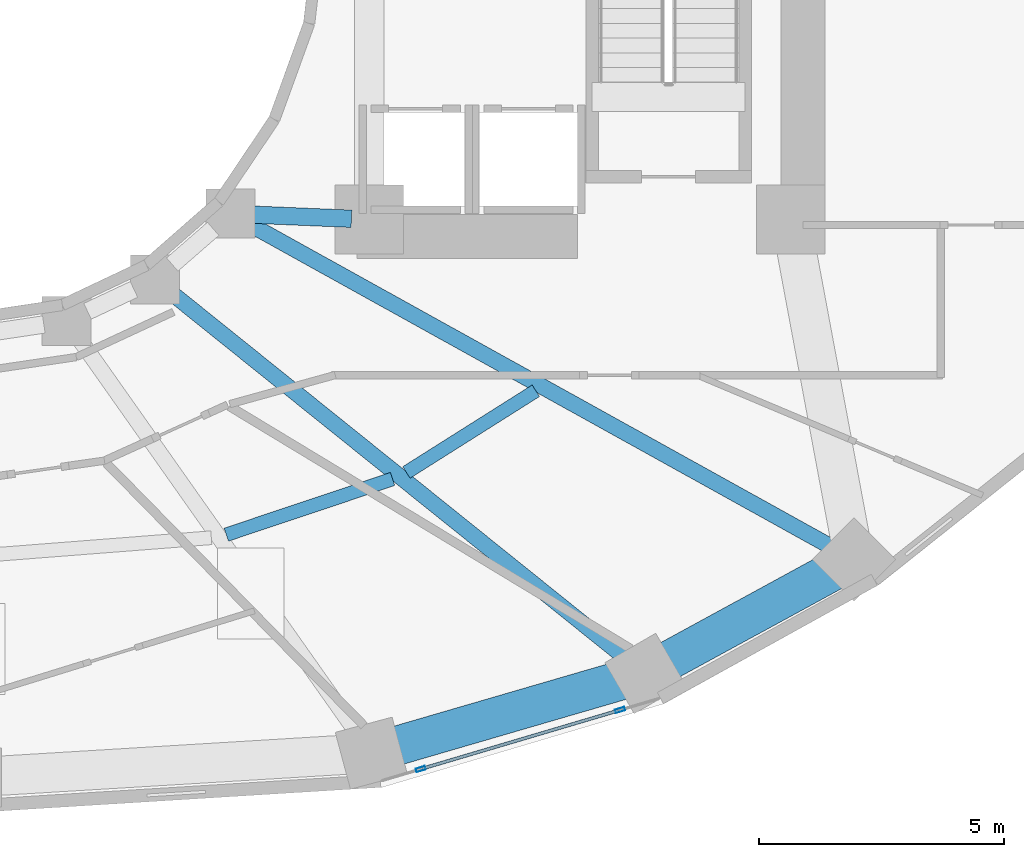
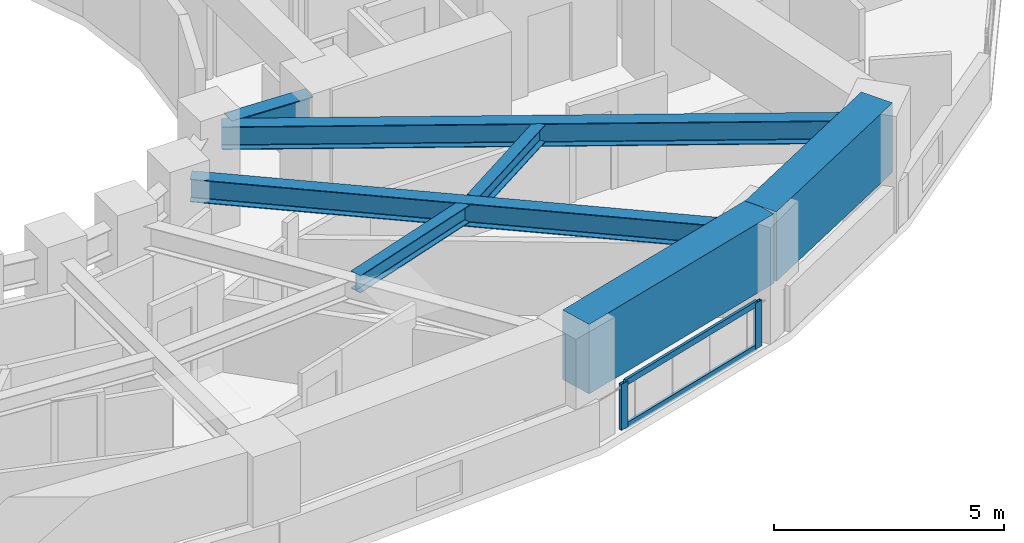
# One storey, part 6 of 22: 7 beams, 4 members, 1 element without a shape of its own.
"""IFC4 building model written with IfcOpenShell, lengths in metres."""

from ifc_helpers import new_model, si_unit, direction, frame, origin, origin_2d, place, context, subcontext, project, spatial, rectangle, hollow_rectangle, i_section, extrude, material, layer, layer_set, material_profile, profile_set, type_object, element, aggregate, save


model = new_model("IFC4")

# Units and contexts
model_context = context("Model", 3, precision=1e-05, world=origin(), true_north=direction((0.0, 1.0)))
body_context = subcontext(model_context, "Body", "Model", "MODEL_VIEW")
ifc_project = project(units=[si_unit("LENGTHUNIT", "METRE"), si_unit("AREAUNIT", "SQUARE_METRE"), si_unit("VOLUMEUNIT", "CUBIC_METRE"), si_unit("PLANEANGLEUNIT", "RADIAN"), si_unit("MASSUNIT", "GRAM", prefix="KILO")], contexts=[model_context])

# Site, building, storey
site_placement = place(None, origin())
site = spatial("IfcSite", under=ifc_project, at=site_placement, CompositionType="ELEMENT")
building_placement = place(site_placement, origin())
building = spatial("IfcBuilding", under=site, at=building_placement, Name="Solvane Sanctuary Tower", CompositionType="ELEMENT")
storey_placement = place(building_placement, frame((0.0, 0.0, 43.10009765625)))
storey = spatial("IfcBuildingStorey", under=building, at=storey_placement, Name="L12", CompositionType="ELEMENT", Elevation=43.10009765625)

# Beams
ifc_material_1 = material(Name="Steel ASTM A992 Grade 50", Category="steel")
ifc_material_profile_1 = material_profile(ifc_material_1, i_section(OverallWidth=0.323974609375, OverallDepth=0.611083984375, WebThickness=0.0126953125, FlangeThickness=0.01904296875, FilletRadius=0.01611328125, at=origin_2d()), Name="W24X104")
ifc_profile_set_1 = profile_set([ifc_material_profile_1], Name="Steel ASTM A992 Grade 50")
beam_type_1 = type_object("IfcBeamType", Name="Beam B-RAD-Z1 W24X104", PredefinedType="BEAM", material=ifc_profile_set_1)
beam_1_placement = place(storey_placement, frame((35.9482421875, 15.498046875, 2.29248046875), z_axis=(0.779526985436, -0.626368644631, 0.0), x_axis=(0.626368644631, 0.779526985436, 0.0)))
element("IfcBeam", 1, at=beam_1_placement, inside=storey, type_object=beam_type_1, Name="L12 Radial Composite Floor Beam 13", PredefinedType="BEAM", context=body_context, shape_type="SweptSolid", body=[
    extrude(i_section(OverallWidth=0.323974609375, OverallDepth=0.611083984375, WebThickness=0.0126953125, FlangeThickness=0.01904296875, FilletRadius=0.01611328125, at=origin_2d()), origin(), (0.0, 0.0, 1.0), 12.2646484375),
])
beam_2_placement = place(storey_placement, frame((37.52001953125, 16.882080078125, 2.29248046875), z_axis=(0.87449641157, -0.485031984668, 0.0), x_axis=(0.485031984668, 0.87449641157, 0.0)))
element("IfcBeam", 2, at=beam_2_placement, inside=storey, type_object=beam_type_1, Name="L12 Radial Composite Floor Beam 14", PredefinedType="BEAM", context=body_context, shape_type="SweptSolid", body=[
    extrude(i_section(OverallWidth=0.323974609375, OverallDepth=0.611083984375, WebThickness=0.0126953125, FlangeThickness=0.01904296875, FilletRadius=0.01611328125, at=origin_2d()), origin(), (0.0, 0.0, 1.0), 13.9814453125),
])
ifc_material_profile_2 = material_profile(ifc_material_1, i_section(OverallWidth=0.35498046875, OverallDepth=0.695068359375, WebThickness=0.015380859375, FlangeThickness=0.02490234375, FilletRadius=0.01806640625, at=origin_2d()), Name="W27X146")
ifc_profile_set_2 = profile_set([ifc_material_profile_2], Name="Steel ASTM A992 Grade 50")
beam_type_2 = type_object("IfcBeamType", Name="Beam B-RING-IN1 W27X146", PredefinedType="BEAM", material=ifc_profile_set_2)
beam_3_placement = place(storey_placement, frame((37.74462890625, 16.998291015625, 2.25048828125), z_axis=(0.999130953379, -0.041681386726, 0.0), x_axis=(0.041681386726, 0.999130953379, 0.0)))
element("IfcBeam", 3, at=beam_3_placement, inside=storey, type_object=beam_type_2, Name="L12 Inner Light-Well Ring Beam IC14-CE1", PredefinedType="BEAM", context=body_context, shape_type="SweptSolid", body=[
    extrude(i_section(OverallWidth=0.35498046875, OverallDepth=0.695068359375, WebThickness=0.015380859375, FlangeThickness=0.02490234375, FilletRadius=0.01806640625, at=origin_2d()), origin(), (0.0, 0.0, 1.0), 1.997314453125),
])
ifc_material_profile_3 = material_profile(ifc_material_1, i_section(OverallWidth=0.280029296875, OverallDepth=0.462890625, WebThickness=0.0107421875, FlangeThickness=0.017333984375, FilletRadius=0.013916015625, at=origin_2d()), Name="W18X76")
ifc_profile_set_3 = profile_set([ifc_material_profile_3], Name="Steel ASTM A992 Grade 50")
beam_type_3 = type_object("IfcBeamType", Name="Beam B-SEC-JOIST W18X76", PredefinedType="JOIST", material=ifc_profile_set_3)
beam_4_placement = place(storey_placement, frame((37.186767578125, 10.47119140625, 2.366455078125), z_axis=(0.948259393162, 0.317496650816, 0.0), x_axis=(-0.317496650816, 0.948259393162, 0.0)))
element("IfcBeam", 4, at=beam_4_placement, inside=storey, type_object=beam_type_3, Name="L12 Secondary Circumferential Joist 12-13", PredefinedType="JOIST", context=body_context, shape_type="SweptSolid", body=[
    extrude(i_section(OverallWidth=0.280029296875, OverallDepth=0.462890625, WebThickness=0.0107421875, FlangeThickness=0.017333984375, FilletRadius=0.013916015625, at=origin_2d()), origin(), (0.0, 0.0, 1.0), 3.577880859375),
])
beam_5_placement = place(storey_placement, frame((40.861328125, 11.74072265625, 2.366455078125), z_axis=(0.845524211665, 0.533937081957, 0.0), x_axis=(-0.533937081957, 0.845524211665, 0.0)))
element("IfcBeam", 5, at=beam_5_placement, inside=storey, type_object=beam_type_3, Name="L12 Secondary Circumferential Joist 13-14", PredefinedType="JOIST", context=body_context, shape_type="SweptSolid", body=[
    extrude(i_section(OverallWidth=0.280029296875, OverallDepth=0.462890625, WebThickness=0.0107421875, FlangeThickness=0.017333984375, FilletRadius=0.013916015625, at=origin_2d()), origin(), (0.0, 0.0, 1.0), 3.12158203125),
])
ifc_material_2 = material(Name="Concrete C70/85", Category="concrete")
ifc_material_profile_4 = material_profile(ifc_material_2, rectangle(XDim=0.800048828125, YDim=1.85009765625, at=origin_2d()), Name="RC800X1850")
ifc_profile_set_4 = profile_set([ifc_material_profile_4], Name="Concrete C70/85")
beam_type_4 = type_object("IfcBeamType", Name="Beam B-XFER-BLK RC800X1850", PredefinedType="BEAM", material=ifc_profile_set_4)
beam_6_placement = place(storey_placement, frame((40.14501953125, 6.014404296875, 2.1748046875), z_axis=(0.960089774527, 0.279692017849, 0.0), x_axis=(-0.279692017849, 0.960089774527, 0.0)))
element("IfcBeam", 6, at=beam_6_placement, inside=storey, type_object=beam_type_4, Name="L12 Perimeter Step Transfer Ring NTC12-NTC13", PredefinedType="BEAM", context=body_context, shape_type="SweptSolid", body=[
    extrude(rectangle(XDim=0.800048828125, YDim=1.85009765625, at=origin_2d()), origin(), (0.0, 0.0, 1.0), 5.814208984375),
])
beam_7_placement = place(storey_placement, frame((45.727294921875, 7.640625, 2.1748046875), z_axis=(0.878074180076, 0.478524538853, 0.0), x_axis=(-0.478524538853, 0.878074180076, 0.0)))
element("IfcBeam", 7, at=beam_7_placement, inside=storey, type_object=beam_type_4, Name="L12 Perimeter Step Transfer Ring NTC13-NTC14", PredefinedType="BEAM", context=body_context, shape_type="SweptSolid", body=[
    extrude(rectangle(XDim=0.800048828125, YDim=1.85009765625, at=origin_2d()), origin(), (0.0, 0.0, 1.0), 4.8564453125),
])

# Curtain wall, members
ifc_material_3 = material(Name="Anodised Aluminium 6063-T6", Category="aluminium")
ifc_layer = layer(ifc_material_3, 0.169921875, Name="Anodised Aluminium 6063-T6")
ifc_layer_set = layer_set([ifc_layer], Name="Anodised Aluminium 6063-T6")
curtain_wall_type = type_object("IfcCurtainWallType", Name="Curtain Wall CW-FRIT-Z1", PredefinedType="NOTDEFINED", material=ifc_layer_set)
curtain_wall_placement = place(storey_placement, origin())
curtain_wall = element("IfcCurtainWall", 8, at=curtain_wall_placement, inside=storey, type_object=curtain_wall_type, Name="L12 CW-FRIT-Z1 Facade Run 19", PredefinedType="NOTDEFINED")
ifc_material_profile_5 = material_profile(ifc_material_3, hollow_rectangle(XDim=0.074951171875, YDim=0.199951171875, WallThickness=0.00390625, at=origin_2d()), Name="ALU200X75X4")
ifc_profile_set_5 = profile_set([ifc_material_profile_5], Name="Anodised Aluminium 6063-T6")
member_type_1 = type_object("IfcMemberType", Name="Member M-CW-MUL-1 ALU200X75X4", PredefinedType="MULLION", material=ifc_profile_set_5)
member_1_placement = place(storey_placement, frame((41.154052734375, 5.6904296875, 0.0), z_axis=(0.0, 0.0, 1.0), x_axis=(-0.283936052018, 0.958843218866, 0.0)))
member_1 = element("IfcMember", 9, at=member_1_placement, type_object=member_type_1, Name="CW-FRIT-Z1 mullion 1", PredefinedType="MULLION", context=body_context, shape_type="SweptSolid", body=[
    extrude(hollow_rectangle(XDim=0.074951171875, YDim=0.199951171875, WallThickness=0.00390625, at=origin_2d()), origin(), (0.0, 0.0, 1.0), 1.219970703125),
])
member_2_placement = place(storey_placement, frame((45.2197265625, 6.89453125, 0.0), z_axis=(0.0, 0.0, 1.0), x_axis=(-0.283936052018, 0.958843218866, 0.0)))
member_2 = element("IfcMember", 10, at=member_2_placement, type_object=member_type_1, Name="CW-FRIT-Z1 mullion 2", PredefinedType="MULLION", context=body_context, shape_type="SweptSolid", body=[
    extrude(hollow_rectangle(XDim=0.074951171875, YDim=0.199951171875, WallThickness=0.00390625, at=origin_2d()), origin(), (0.0, 0.0, 1.0), 1.219970703125),
])
ifc_material_profile_6 = material_profile(ifc_material_3, hollow_rectangle(XDim=0.06494140625, YDim=0.159912109375, WallThickness=0.00341796875, at=origin_2d()), Name="ALU160X65X3.5")
ifc_profile_set_6 = profile_set([ifc_material_profile_6], Name="Anodised Aluminium 6063-T6")
member_type_2 = type_object("IfcMemberType", Name="Member M-CW-TRN-1 ALU160X65X3.5", PredefinedType="USERDEFINED", material=ifc_profile_set_6)
member_3_placement = place(storey_placement, frame((41.18994140625, 5.701171875, 0.032470703125), z_axis=(0.958847767463, 0.283920691093, 0.0), x_axis=(-0.283920691093, 0.958847767463, 0.0)))
member_3 = element("IfcMember", 11, at=member_3_placement, type_object=member_type_2, Name="CW-FRIT-Z1 transom 1.1", ObjectType="TRANSOM", PredefinedType="USERDEFINED", context=body_context, shape_type="SweptSolid", body=[
    extrude(hollow_rectangle(XDim=0.06494140625, YDim=0.159912109375, WallThickness=0.00341796875, at=origin_2d()), origin(), (0.0, 0.0, 1.0), 4.165283203125),
])
member_4_placement = place(storey_placement, frame((41.18994140625, 5.701171875, 1.1875), z_axis=(0.958847767463, 0.283920691093, 0.0), x_axis=(-0.283920691093, 0.958847767463, 0.0)))
member_4 = element("IfcMember", 12, at=member_4_placement, type_object=member_type_2, Name="CW-FRIT-Z1 transom 1.2", ObjectType="TRANSOM", PredefinedType="USERDEFINED", context=body_context, shape_type="SweptSolid", body=[
    extrude(hollow_rectangle(XDim=0.06494140625, YDim=0.159912109375, WallThickness=0.00341796875, at=origin_2d()), origin(), (0.0, 0.0, 1.0), 4.165283203125),
])
aggregate(curtain_wall, [member_1, member_2, member_3, member_4])

save(model, "model.ifc")
